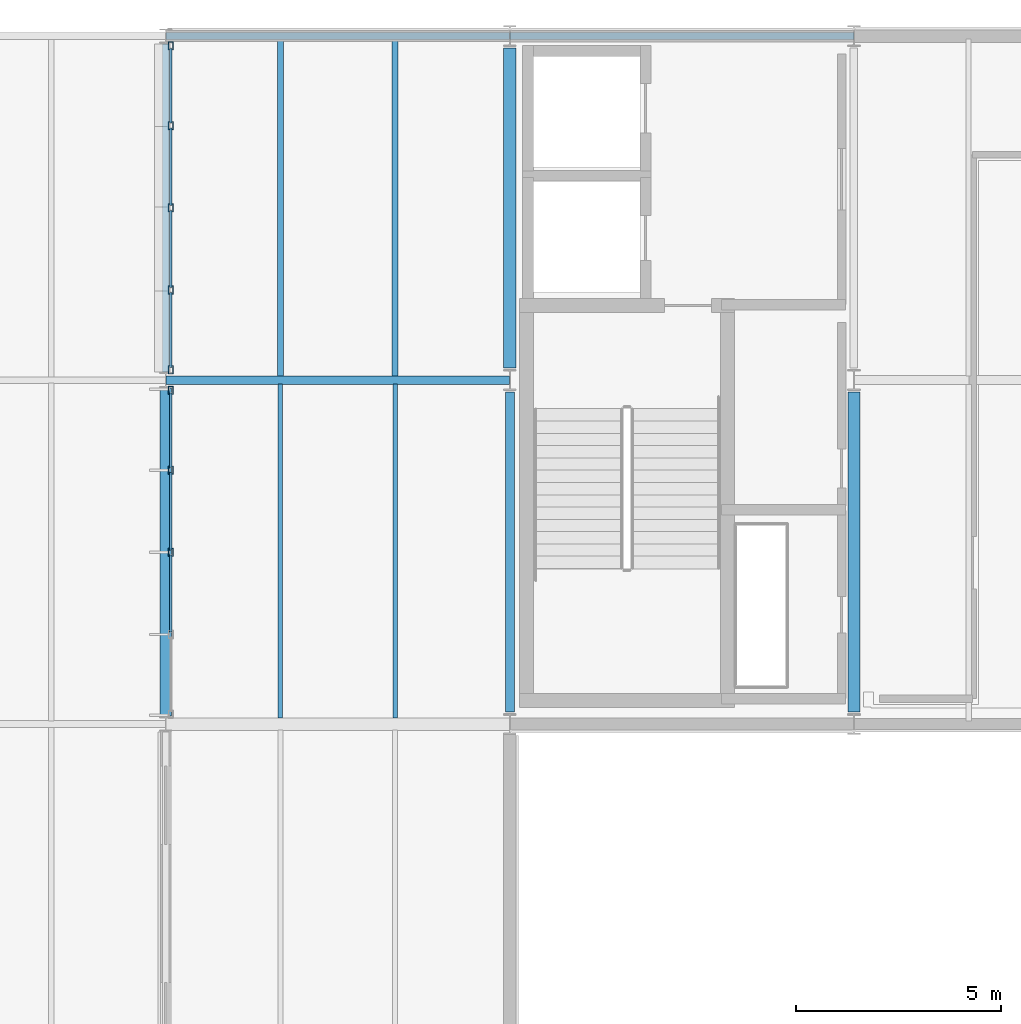
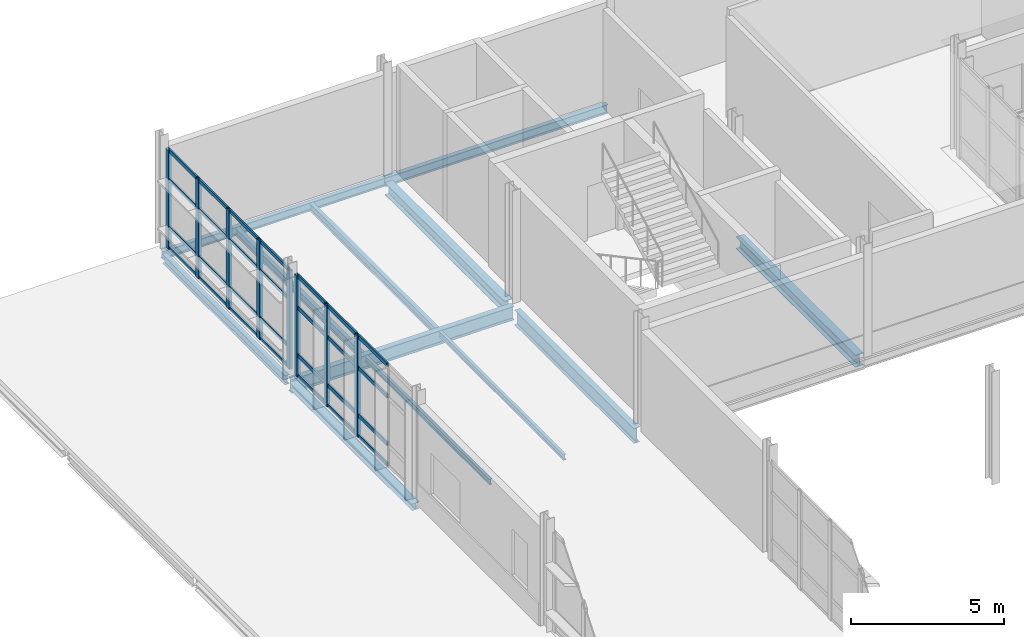
# One storey, part 42 of 129: 36 members, 12 beams, 2 elements without a shape of their own.
"""IFC4 building model written with IfcOpenShell, lengths in metres."""

from ifc_helpers import new_model, si_unit, direction, frame, origin, origin_2d, place, context, subcontext, project, spatial, hollow_rectangle, i_section, extrude, material, material_profile, profile_set, type_object, element, aggregate, save


model = new_model("IFC4")

# Units and contexts
model_context = context("Model", 3, precision=1e-05, world=origin(), true_north=direction((0.0, 1.0)))
body_context = subcontext(model_context, "Body", "Model", "MODEL_VIEW")
ifc_project = project(units=[si_unit("LENGTHUNIT", "METRE"), si_unit("AREAUNIT", "SQUARE_METRE"), si_unit("VOLUMEUNIT", "CUBIC_METRE"), si_unit("PLANEANGLEUNIT", "RADIAN"), si_unit("MASSUNIT", "GRAM", prefix="KILO")], contexts=[model_context])

# Site, building, storey
site_placement = place(None, origin())
site = spatial("IfcSite", under=ifc_project, at=site_placement, CompositionType="ELEMENT")
building_placement = place(site_placement, origin())
building = spatial("IfcBuilding", under=site, at=building_placement, Name="Mersafa Astral City Hall", CompositionType="ELEMENT")
storey_placement = place(building_placement, frame((0.0, 0.0, 5.39990234375)))
storey = spatial("IfcBuildingStorey", under=building, at=storey_placement, Name="L01", CompositionType="ELEMENT", Elevation=5.39990234375)

# Curtain wall, members
ifc_material_1 = material(Name="Anodised bronze aluminium framing", Category="aluminium")
curtain_wall_type_1 = type_object("IfcCurtainWallType", Name="ENV-CW-2", PredefinedType="USERDEFINED", material=ifc_material_1)
curtain_wall_1_placement = place(storey_placement, origin())
curtain_wall_1 = element("IfcCurtainWall", 1, at=curtain_wall_1_placement, inside=storey, type_object=curtain_wall_type_1, Name="L01 Unitised solar curtain wall 79", ObjectType="UNITISED CURTAIN WALL", PredefinedType="USERDEFINED")
ifc_material_profile_1 = material_profile(ifc_material_1, hollow_rectangle(XDim=0.1201171875, YDim=0.199951171875, WallThickness=0.008056640625, at=origin_2d()), Name="RHS 120x200x8")
ifc_profile_set_1 = profile_set([ifc_material_profile_1], Name="Anodised bronze aluminium framing")
member_type_1 = type_object("IfcMemberType", Name="ENV-CW-MUL-2", PredefinedType="MULLION", material=ifc_profile_set_1)
member_1_placement = place(storey_placement, frame((33.719970703125, 125.758056640625, -0.001953125), z_axis=(0.0, 0.0, 1.0), x_axis=(1.0, 0.0, 0.0)))
member_1 = element("IfcMember", 2, at=member_1_placement, type_object=member_type_1, Name="CW-2 mullion 1", PredefinedType="MULLION", context=body_context, shape_type="SweptSolid", body=[
    extrude(hollow_rectangle(XDim=0.1201171875, YDim=0.199951171875, WallThickness=0.008056640625, at=origin_2d()), origin(), (0.0, 0.0, 1.0), 3.93896484375),
])
member_2_placement = place(storey_placement, frame((33.719970703125, 123.8115234375, -0.001953125), z_axis=(0.0, 0.0, 1.0), x_axis=(1.0, 0.0, 0.0)))
member_2 = element("IfcMember", 3, at=member_2_placement, type_object=member_type_1, Name="CW-2 mullion 2", PredefinedType="MULLION", context=body_context, shape_type="SweptSolid", body=[
    extrude(hollow_rectangle(XDim=0.1201171875, YDim=0.199951171875, WallThickness=0.008056640625, at=origin_2d()), origin(), (0.0, 0.0, 1.0), 3.93896484375),
])
member_3_placement = place(storey_placement, frame((33.719970703125, 121.804931640625, -0.001953125), z_axis=(0.0, 0.0, 1.0), x_axis=(1.0, 0.0, 0.0)))
member_3 = element("IfcMember", 4, at=member_3_placement, type_object=member_type_1, Name="CW-2 mullion 3", PredefinedType="MULLION", context=body_context, shape_type="SweptSolid", body=[
    extrude(hollow_rectangle(XDim=0.1201171875, YDim=0.199951171875, WallThickness=0.008056640625, at=origin_2d()), origin(), (0.0, 0.0, 1.0), 3.93896484375),
])
member_4_placement = place(storey_placement, frame((33.719970703125, 119.798583984375, -0.001953125), z_axis=(0.0, 0.0, 1.0), x_axis=(1.0, 0.0, 0.0)))
member_4 = element("IfcMember", 5, at=member_4_placement, type_object=member_type_1, Name="CW-2 mullion 4", PredefinedType="MULLION", context=body_context, shape_type="SweptSolid", body=[
    extrude(hollow_rectangle(XDim=0.1201171875, YDim=0.199951171875, WallThickness=0.008056640625, at=origin_2d()), origin(), (0.0, 0.0, 1.0), 3.93896484375),
])
member_5_placement = place(storey_placement, frame((33.719970703125, 117.85205078125, -0.001953125), z_axis=(0.0, 0.0, 1.0), x_axis=(1.0, 0.0, 0.0)))
member_5 = element("IfcMember", 6, at=member_5_placement, type_object=member_type_1, Name="CW-2 mullion 5", PredefinedType="MULLION", context=body_context, shape_type="SweptSolid", body=[
    extrude(hollow_rectangle(XDim=0.1201171875, YDim=0.199951171875, WallThickness=0.008056640625, at=origin_2d()), origin(), (0.0, 0.0, 1.0), 3.93896484375),
])

curtain_wall_type_2 = type_object("IfcCurtainWallType", Name="ENV-CW-3", PredefinedType="USERDEFINED", material=ifc_material_1)
curtain_wall_2_placement = place(storey_placement, origin())
curtain_wall_2 = element("IfcCurtainWall", 7, at=curtain_wall_2_placement, inside=storey, type_object=curtain_wall_type_2, Name="L01 Unitised solar curtain wall 80", ObjectType="UNITISED CURTAIN WALL", PredefinedType="USERDEFINED")
member_6_placement = place(storey_placement, frame((33.719970703125, 117.347900390625, -0.001953125), z_axis=(0.0, 0.0, 1.0), x_axis=(1.0, 0.0, 0.0)))
member_6 = element("IfcMember", 8, at=member_6_placement, type_object=member_type_1, Name="CW-3 mullion 1", PredefinedType="MULLION", context=body_context, shape_type="SweptSolid", body=[
    extrude(hollow_rectangle(XDim=0.1201171875, YDim=0.199951171875, WallThickness=0.008056640625, at=origin_2d()), origin(), (0.0, 0.0, 1.0), 4.029052734375),
])
member_7_placement = place(storey_placement, frame((33.719970703125, 115.401611328125, -0.001953125), z_axis=(0.0, 0.0, 1.0), x_axis=(1.0, 0.0, 0.0)))
member_7 = element("IfcMember", 9, at=member_7_placement, type_object=member_type_1, Name="CW-3 mullion 2", PredefinedType="MULLION", context=body_context, shape_type="SweptSolid", body=[
    extrude(hollow_rectangle(XDim=0.1201171875, YDim=0.199951171875, WallThickness=0.008056640625, at=origin_2d()), origin(), (0.0, 0.0, 1.0), 4.029052734375),
])
member_8_placement = place(storey_placement, frame((33.719970703125, 113.39501953125, -0.001953125), z_axis=(0.0, 0.0, 1.0), x_axis=(1.0, 0.0, 0.0)))
member_8 = element("IfcMember", 10, at=member_8_placement, type_object=member_type_1, Name="CW-3 mullion 3", PredefinedType="MULLION", context=body_context, shape_type="SweptSolid", body=[
    extrude(hollow_rectangle(XDim=0.1201171875, YDim=0.199951171875, WallThickness=0.008056640625, at=origin_2d()), origin(), (0.0, 0.0, 1.0), 4.029052734375),
])

# Member
ifc_material_profile_2 = material_profile(ifc_material_1, hollow_rectangle(XDim=0.06005859375, YDim=0.139892578125, WallThickness=0.00390625, at=origin_2d()), Name="RHS 60x140x4")
ifc_profile_set_2 = profile_set([ifc_material_profile_2], Name="Anodised bronze aluminium framing")
member_type_2 = type_object("IfcMemberType", Name="ENV-CW-TRN-1", PredefinedType="USERDEFINED", material=ifc_profile_set_2)
member_9_placement = place(storey_placement, frame((33.719970703125, 125.697998046875, 0.028076171875), z_axis=(0.0, -1.0, 0.0), x_axis=(1.0, 0.0, 0.0)))
member_9 = element("IfcMember", 11, at=member_9_placement, type_object=member_type_2, Name="CW-2 transom 1.1", ObjectType="TRANSOM", PredefinedType="USERDEFINED", context=body_context, shape_type="SweptSolid", body=[
    extrude(hollow_rectangle(XDim=0.06005859375, YDim=0.139892578125, WallThickness=0.00390625, at=origin_2d()), origin(), (0.0, 0.0, 1.0), 1.826416015625),
])

member_10_placement = place(storey_placement, frame((33.719970703125, 125.697998046875, 0.85009765625), z_axis=(0.0, -1.0, 0.0), x_axis=(1.0, 0.0, 0.0)))
member_10 = element("IfcMember", 12, at=member_10_placement, type_object=member_type_2, Name="CW-2 transom 1.2", ObjectType="TRANSOM", PredefinedType="USERDEFINED", context=body_context, shape_type="SweptSolid", body=[
    extrude(hollow_rectangle(XDim=0.06005859375, YDim=0.139892578125, WallThickness=0.00390625, at=origin_2d()), origin(), (0.0, 0.0, 1.0), 1.826416015625),
])

member_11_placement = place(storey_placement, frame((33.719970703125, 125.697998046875, 2.75), z_axis=(0.0, -1.0, 0.0), x_axis=(1.0, 0.0, 0.0)))
member_11 = element("IfcMember", 13, at=member_11_placement, type_object=member_type_2, Name="CW-2 transom 1.3", ObjectType="TRANSOM", PredefinedType="USERDEFINED", context=body_context, shape_type="SweptSolid", body=[
    extrude(hollow_rectangle(XDim=0.06005859375, YDim=0.139892578125, WallThickness=0.00390625, at=origin_2d()), origin(), (0.0, 0.0, 1.0), 1.826416015625),
])

member_12_placement = place(storey_placement, frame((33.719970703125, 125.697998046875, 3.906982421875), z_axis=(0.0, -1.0, 0.0), x_axis=(1.0, 0.0, 0.0)))
member_12 = element("IfcMember", 14, at=member_12_placement, type_object=member_type_2, Name="CW-2 transom 1.4", ObjectType="TRANSOM", PredefinedType="USERDEFINED", context=body_context, shape_type="SweptSolid", body=[
    extrude(hollow_rectangle(XDim=0.06005859375, YDim=0.139892578125, WallThickness=0.00390625, at=origin_2d()), origin(), (0.0, 0.0, 1.0), 1.826416015625),
])

member_13_placement = place(storey_placement, frame((33.719970703125, 123.75146484375, 0.028076171875), z_axis=(0.0, -1.0, 0.0), x_axis=(1.0, 0.0, 0.0)))
member_13 = element("IfcMember", 15, at=member_13_placement, type_object=member_type_2, Name="CW-2 transom 2.1", ObjectType="TRANSOM", PredefinedType="USERDEFINED", context=body_context, shape_type="SweptSolid", body=[
    extrude(hollow_rectangle(XDim=0.06005859375, YDim=0.139892578125, WallThickness=0.00390625, at=origin_2d()), origin(), (0.0, 0.0, 1.0), 1.886474609375),
])

member_14_placement = place(storey_placement, frame((33.719970703125, 123.75146484375, 0.85009765625), z_axis=(0.0, -1.0, 0.0), x_axis=(1.0, 0.0, 0.0)))
member_14 = element("IfcMember", 16, at=member_14_placement, type_object=member_type_2, Name="CW-2 transom 2.2", ObjectType="TRANSOM", PredefinedType="USERDEFINED", context=body_context, shape_type="SweptSolid", body=[
    extrude(hollow_rectangle(XDim=0.06005859375, YDim=0.139892578125, WallThickness=0.00390625, at=origin_2d()), origin(), (0.0, 0.0, 1.0), 1.886474609375),
])

member_15_placement = place(storey_placement, frame((33.719970703125, 123.75146484375, 2.75), z_axis=(0.0, -1.0, 0.0), x_axis=(1.0, 0.0, 0.0)))
member_15 = element("IfcMember", 17, at=member_15_placement, type_object=member_type_2, Name="CW-2 transom 2.3", ObjectType="TRANSOM", PredefinedType="USERDEFINED", context=body_context, shape_type="SweptSolid", body=[
    extrude(hollow_rectangle(XDim=0.06005859375, YDim=0.139892578125, WallThickness=0.00390625, at=origin_2d()), origin(), (0.0, 0.0, 1.0), 1.886474609375),
])

member_16_placement = place(storey_placement, frame((33.719970703125, 123.75146484375, 3.906982421875), z_axis=(0.0, -1.0, 0.0), x_axis=(1.0, 0.0, 0.0)))
member_16 = element("IfcMember", 18, at=member_16_placement, type_object=member_type_2, Name="CW-2 transom 2.4", ObjectType="TRANSOM", PredefinedType="USERDEFINED", context=body_context, shape_type="SweptSolid", body=[
    extrude(hollow_rectangle(XDim=0.06005859375, YDim=0.139892578125, WallThickness=0.00390625, at=origin_2d()), origin(), (0.0, 0.0, 1.0), 1.886474609375),
])

member_17_placement = place(storey_placement, frame((33.719970703125, 121.7451171875, 0.028076171875), z_axis=(0.0, -1.0, 0.0), x_axis=(1.0, 0.0, 0.0)))
member_17 = element("IfcMember", 19, at=member_17_placement, type_object=member_type_2, Name="CW-2 transom 3.1", ObjectType="TRANSOM", PredefinedType="USERDEFINED", context=body_context, shape_type="SweptSolid", body=[
    extrude(hollow_rectangle(XDim=0.06005859375, YDim=0.139892578125, WallThickness=0.00390625, at=origin_2d()), origin(), (0.0, 0.0, 1.0), 1.88671875),
])

member_18_placement = place(storey_placement, frame((33.719970703125, 121.7451171875, 0.85009765625), z_axis=(0.0, -1.0, 0.0), x_axis=(1.0, 0.0, 0.0)))
member_18 = element("IfcMember", 20, at=member_18_placement, type_object=member_type_2, Name="CW-2 transom 3.2", ObjectType="TRANSOM", PredefinedType="USERDEFINED", context=body_context, shape_type="SweptSolid", body=[
    extrude(hollow_rectangle(XDim=0.06005859375, YDim=0.139892578125, WallThickness=0.00390625, at=origin_2d()), origin(), (0.0, 0.0, 1.0), 1.88671875),
])

member_19_placement = place(storey_placement, frame((33.719970703125, 121.7451171875, 2.75), z_axis=(0.0, -1.0, 0.0), x_axis=(1.0, 0.0, 0.0)))
member_19 = element("IfcMember", 21, at=member_19_placement, type_object=member_type_2, Name="CW-2 transom 3.3", ObjectType="TRANSOM", PredefinedType="USERDEFINED", context=body_context, shape_type="SweptSolid", body=[
    extrude(hollow_rectangle(XDim=0.06005859375, YDim=0.139892578125, WallThickness=0.00390625, at=origin_2d()), origin(), (0.0, 0.0, 1.0), 1.88671875),
])

member_20_placement = place(storey_placement, frame((33.719970703125, 121.7451171875, 3.906982421875), z_axis=(0.0, -1.0, 0.0), x_axis=(1.0, 0.0, 0.0)))
member_20 = element("IfcMember", 22, at=member_20_placement, type_object=member_type_2, Name="CW-2 transom 3.4", ObjectType="TRANSOM", PredefinedType="USERDEFINED", context=body_context, shape_type="SweptSolid", body=[
    extrude(hollow_rectangle(XDim=0.06005859375, YDim=0.139892578125, WallThickness=0.00390625, at=origin_2d()), origin(), (0.0, 0.0, 1.0), 1.88671875),
])

member_21_placement = place(storey_placement, frame((33.719970703125, 119.738525390625, 0.028076171875), z_axis=(0.0, -1.0, 0.0), x_axis=(1.0, 0.0, 0.0)))
member_21 = element("IfcMember", 23, at=member_21_placement, type_object=member_type_2, Name="CW-2 transom 4.1", ObjectType="TRANSOM", PredefinedType="USERDEFINED", context=body_context, shape_type="SweptSolid", body=[
    extrude(hollow_rectangle(XDim=0.06005859375, YDim=0.139892578125, WallThickness=0.00390625, at=origin_2d()), origin(), (0.0, 0.0, 1.0), 1.826416015625),
])

member_22_placement = place(storey_placement, frame((33.719970703125, 119.738525390625, 0.85009765625), z_axis=(0.0, -1.0, 0.0), x_axis=(1.0, 0.0, 0.0)))
member_22 = element("IfcMember", 24, at=member_22_placement, type_object=member_type_2, Name="CW-2 transom 4.2", ObjectType="TRANSOM", PredefinedType="USERDEFINED", context=body_context, shape_type="SweptSolid", body=[
    extrude(hollow_rectangle(XDim=0.06005859375, YDim=0.139892578125, WallThickness=0.00390625, at=origin_2d()), origin(), (0.0, 0.0, 1.0), 1.826416015625),
])

member_23_placement = place(storey_placement, frame((33.719970703125, 119.738525390625, 2.75), z_axis=(0.0, -1.0, 0.0), x_axis=(1.0, 0.0, 0.0)))
member_23 = element("IfcMember", 25, at=member_23_placement, type_object=member_type_2, Name="CW-2 transom 4.3", ObjectType="TRANSOM", PredefinedType="USERDEFINED", context=body_context, shape_type="SweptSolid", body=[
    extrude(hollow_rectangle(XDim=0.06005859375, YDim=0.139892578125, WallThickness=0.00390625, at=origin_2d()), origin(), (0.0, 0.0, 1.0), 1.826416015625),
])

member_24_placement = place(storey_placement, frame((33.719970703125, 119.738525390625, 3.906982421875), z_axis=(0.0, -1.0, 0.0), x_axis=(1.0, 0.0, 0.0)))
member_24 = element("IfcMember", 26, at=member_24_placement, type_object=member_type_2, Name="CW-2 transom 4.4", ObjectType="TRANSOM", PredefinedType="USERDEFINED", context=body_context, shape_type="SweptSolid", body=[
    extrude(hollow_rectangle(XDim=0.06005859375, YDim=0.139892578125, WallThickness=0.00390625, at=origin_2d()), origin(), (0.0, 0.0, 1.0), 1.826416015625),
])

aggregate(curtain_wall_1, [member_1, member_2, member_3, member_4, member_5, member_9, member_10, member_11, member_12, member_13, member_14, member_15, member_16, member_17, member_18, member_19, member_20, member_21, member_22, member_23, member_24])

ifc_material_profile_3 = material_profile(ifc_material_1, hollow_rectangle(XDim=0.06005859375, YDim=0.159912109375, WallThickness=0.00390625, at=origin_2d()), Name="RHS 60x160x4")
ifc_profile_set_3 = profile_set([ifc_material_profile_3], Name="Anodised bronze aluminium framing")
member_type_3 = type_object("IfcMemberType", Name="ENV-CW-TRN-2", PredefinedType="USERDEFINED", material=ifc_profile_set_3)
member_25_placement = place(storey_placement, frame((33.719970703125, 117.2880859375, 0.028076171875), z_axis=(0.0, -1.0, 0.0), x_axis=(1.0, 0.0, 0.0)))
member_25 = element("IfcMember", 27, at=member_25_placement, type_object=member_type_3, Name="CW-3 transom 1.1", ObjectType="TRANSOM", PredefinedType="USERDEFINED", context=body_context, shape_type="SweptSolid", body=[
    extrude(hollow_rectangle(XDim=0.06005859375, YDim=0.159912109375, WallThickness=0.00390625, at=origin_2d()), origin(), (0.0, 0.0, 1.0), 1.82666015625),
])

member_26_placement = place(storey_placement, frame((33.719970703125, 117.2880859375, 0.85009765625), z_axis=(0.0, -1.0, 0.0), x_axis=(1.0, 0.0, 0.0)))
member_26 = element("IfcMember", 28, at=member_26_placement, type_object=member_type_3, Name="CW-3 transom 1.2", ObjectType="TRANSOM", PredefinedType="USERDEFINED", context=body_context, shape_type="SweptSolid", body=[
    extrude(hollow_rectangle(XDim=0.06005859375, YDim=0.159912109375, WallThickness=0.00390625, at=origin_2d()), origin(), (0.0, 0.0, 1.0), 1.82666015625),
])

member_27_placement = place(storey_placement, frame((33.719970703125, 117.2880859375, 2.75), z_axis=(0.0, -1.0, 0.0), x_axis=(1.0, 0.0, 0.0)))
member_27 = element("IfcMember", 29, at=member_27_placement, type_object=member_type_3, Name="CW-3 transom 1.3", ObjectType="TRANSOM", PredefinedType="USERDEFINED", context=body_context, shape_type="SweptSolid", body=[
    extrude(hollow_rectangle(XDim=0.06005859375, YDim=0.159912109375, WallThickness=0.00390625, at=origin_2d()), origin(), (0.0, 0.0, 1.0), 1.82666015625),
])

member_28_placement = place(storey_placement, frame((33.719970703125, 117.2880859375, 3.9970703125), z_axis=(0.0, -1.0, 0.0), x_axis=(1.0, 0.0, 0.0)))
member_28 = element("IfcMember", 30, at=member_28_placement, type_object=member_type_3, Name="CW-3 transom 1.4", ObjectType="TRANSOM", PredefinedType="USERDEFINED", context=body_context, shape_type="SweptSolid", body=[
    extrude(hollow_rectangle(XDim=0.06005859375, YDim=0.159912109375, WallThickness=0.00390625, at=origin_2d()), origin(), (0.0, 0.0, 1.0), 1.82666015625),
])

member_29_placement = place(storey_placement, frame((33.719970703125, 115.341552734375, 0.028076171875), z_axis=(0.0, -1.0, 0.0), x_axis=(1.0, 0.0, 0.0)))
member_29 = element("IfcMember", 31, at=member_29_placement, type_object=member_type_3, Name="CW-3 transom 2.1", ObjectType="TRANSOM", PredefinedType="USERDEFINED", context=body_context, shape_type="SweptSolid", body=[
    extrude(hollow_rectangle(XDim=0.06005859375, YDim=0.159912109375, WallThickness=0.00390625, at=origin_2d()), origin(), (0.0, 0.0, 1.0), 1.886474609375),
])

member_30_placement = place(storey_placement, frame((33.719970703125, 115.341552734375, 0.85009765625), z_axis=(0.0, -1.0, 0.0), x_axis=(1.0, 0.0, 0.0)))
member_30 = element("IfcMember", 32, at=member_30_placement, type_object=member_type_3, Name="CW-3 transom 2.2", ObjectType="TRANSOM", PredefinedType="USERDEFINED", context=body_context, shape_type="SweptSolid", body=[
    extrude(hollow_rectangle(XDim=0.06005859375, YDim=0.159912109375, WallThickness=0.00390625, at=origin_2d()), origin(), (0.0, 0.0, 1.0), 1.886474609375),
])

member_31_placement = place(storey_placement, frame((33.719970703125, 115.341552734375, 2.75), z_axis=(0.0, -1.0, 0.0), x_axis=(1.0, 0.0, 0.0)))
member_31 = element("IfcMember", 33, at=member_31_placement, type_object=member_type_3, Name="CW-3 transom 2.3", ObjectType="TRANSOM", PredefinedType="USERDEFINED", context=body_context, shape_type="SweptSolid", body=[
    extrude(hollow_rectangle(XDim=0.06005859375, YDim=0.159912109375, WallThickness=0.00390625, at=origin_2d()), origin(), (0.0, 0.0, 1.0), 1.886474609375),
])

member_32_placement = place(storey_placement, frame((33.719970703125, 115.341552734375, 3.9970703125), z_axis=(0.0, -1.0, 0.0), x_axis=(1.0, 0.0, 0.0)))
member_32 = element("IfcMember", 34, at=member_32_placement, type_object=member_type_3, Name="CW-3 transom 2.4", ObjectType="TRANSOM", PredefinedType="USERDEFINED", context=body_context, shape_type="SweptSolid", body=[
    extrude(hollow_rectangle(XDim=0.06005859375, YDim=0.159912109375, WallThickness=0.00390625, at=origin_2d()), origin(), (0.0, 0.0, 1.0), 1.886474609375),
])

member_33_placement = place(storey_placement, frame((33.719970703125, 113.3349609375, 0.028076171875), z_axis=(0.0, -1.0, 0.0), x_axis=(1.0, 0.0, 0.0)))
member_33 = element("IfcMember", 35, at=member_33_placement, type_object=member_type_3, Name="CW-3 transom 3.1", ObjectType="TRANSOM", PredefinedType="USERDEFINED", context=body_context, shape_type="SweptSolid", body=[
    extrude(hollow_rectangle(XDim=0.06005859375, YDim=0.159912109375, WallThickness=0.00390625, at=origin_2d()), origin(), (0.0, 0.0, 1.0), 1.886474609375),
])

member_34_placement = place(storey_placement, frame((33.719970703125, 113.3349609375, 0.85009765625), z_axis=(0.0, -1.0, 0.0), x_axis=(1.0, 0.0, 0.0)))
member_34 = element("IfcMember", 36, at=member_34_placement, type_object=member_type_3, Name="CW-3 transom 3.2", ObjectType="TRANSOM", PredefinedType="USERDEFINED", context=body_context, shape_type="SweptSolid", body=[
    extrude(hollow_rectangle(XDim=0.06005859375, YDim=0.159912109375, WallThickness=0.00390625, at=origin_2d()), origin(), (0.0, 0.0, 1.0), 1.886474609375),
])

member_35_placement = place(storey_placement, frame((33.719970703125, 113.3349609375, 2.75), z_axis=(0.0, -1.0, 0.0), x_axis=(1.0, 0.0, 0.0)))
member_35 = element("IfcMember", 37, at=member_35_placement, type_object=member_type_3, Name="CW-3 transom 3.3", ObjectType="TRANSOM", PredefinedType="USERDEFINED", context=body_context, shape_type="SweptSolid", body=[
    extrude(hollow_rectangle(XDim=0.06005859375, YDim=0.159912109375, WallThickness=0.00390625, at=origin_2d()), origin(), (0.0, 0.0, 1.0), 1.886474609375),
])

member_36_placement = place(storey_placement, frame((33.719970703125, 113.3349609375, 3.9970703125), z_axis=(0.0, -1.0, 0.0), x_axis=(1.0, 0.0, 0.0)))
member_36 = element("IfcMember", 38, at=member_36_placement, type_object=member_type_3, Name="CW-3 transom 3.4", ObjectType="TRANSOM", PredefinedType="USERDEFINED", context=body_context, shape_type="SweptSolid", body=[
    extrude(hollow_rectangle(XDim=0.06005859375, YDim=0.159912109375, WallThickness=0.00390625, at=origin_2d()), origin(), (0.0, 0.0, 1.0), 1.886474609375),
])

aggregate(curtain_wall_2, [member_6, member_7, member_8, member_25, member_26, member_27, member_28, member_29, member_30, member_31, member_32, member_33, member_34, member_35, member_36])

# Beams
ifc_material_2 = material(Name="Steel S355", Category="steel")
ifc_material_profile_4 = material_profile(ifc_material_2, i_section(OverallWidth=0.300048828125, OverallDepth=0.489990234375, WebThickness=0.011962890625, FlangeThickness=0.02294921875, FilletRadius=0.027099609375, at=origin_2d()), Name="HEA 500")
ifc_profile_set_4 = profile_set([ifc_material_profile_4], Name="Steel S355")
beam_type_1 = type_object("IfcBeamType", Name="STR-BM-HEA500", PredefinedType="BEAM", material=ifc_profile_set_4)
beam_1_placement = place(storey_placement, frame((42.0, 117.89501953125, -0.469970703125), z_axis=(0.0, 1.0, 0.0), x_axis=(-1.0, 0.0, 0.0)))
element("IfcBeam", 39, at=beam_1_placement, inside=storey, type_object=beam_type_1, Name="L01 Primary girder Y 5-14", PredefinedType="BEAM", context=body_context, shape_type="SweptSolid", body=[
    extrude(i_section(OverallWidth=0.300048828125, OverallDepth=0.489990234375, WebThickness=0.011962890625, FlangeThickness=0.02294921875, FilletRadius=0.027099609375, at=origin_2d()), origin(), (0.0, 0.0, 1.0), 7.81005859375),
])
beam_2_placement = place(storey_placement, frame((50.39990234375, 109.4951171875, -0.469970703125), z_axis=(0.0, 1.0, 0.0), x_axis=(-1.0, 0.0, 0.0)))
element("IfcBeam", 40, at=beam_2_placement, inside=storey, type_object=beam_type_1, Name="L01 Primary girder Y 6-13", PredefinedType="BEAM", context=body_context, shape_type="SweptSolid", body=[
    extrude(i_section(OverallWidth=0.300048828125, OverallDepth=0.489990234375, WebThickness=0.011962890625, FlangeThickness=0.02294921875, FilletRadius=0.027099609375, at=origin_2d()), origin(), (0.0, 0.0, 1.0), 7.809814453125),
])
ifc_material_profile_5 = material_profile(ifc_material_2, i_section(OverallWidth=0.2099609375, OverallDepth=0.550048828125, WebThickness=0.010986328125, FlangeThickness=0.01708984375, FilletRadius=0.02392578125, at=origin_2d()), Name="IPE 550")
ifc_profile_set_5 = profile_set([ifc_material_profile_5], Name="Steel S355")
beam_type_2 = type_object("IfcBeamType", Name="STR-BM-IPE550", PredefinedType="BEAM", material=ifc_profile_set_5)
beam_3_placement = place(storey_placement, frame((33.60302734375, 117.60009765625, -0.5), z_axis=(1.0, 0.0, 0.0), x_axis=(0.0, 1.0, 0.0)))
element("IfcBeam", 41, at=beam_3_placement, inside=storey, type_object=beam_type_2, Name="L01 Primary girder X 4-14", PredefinedType="BEAM", context=body_context, shape_type="SweptSolid", body=[
    extrude(i_section(OverallWidth=0.2099609375, OverallDepth=0.550048828125, WebThickness=0.010986328125, FlangeThickness=0.01708984375, FilletRadius=0.02392578125, at=origin_2d()), origin(), (0.0, 0.0, 1.0), 8.39404296875),
])
ifc_material_profile_6 = material_profile(ifc_material_2, i_section(OverallWidth=0.219970703125, OverallDepth=0.60009765625, WebThickness=0.011962890625, FlangeThickness=0.01904296875, FilletRadius=0.02392578125, at=origin_2d()), Name="IPE 600")
ifc_profile_set_6 = profile_set([ifc_material_profile_6], Name="Steel S355")
beam_type_3 = type_object("IfcBeamType", Name="STR-BM-IPE600", PredefinedType="BEAM", material=ifc_profile_set_6)
beam_4_placement = place(storey_placement, frame((42.0, 109.4951171875, -0.52490234375), z_axis=(0.0, 1.0, 0.0), x_axis=(-1.0, 0.0, 0.0)))
element("IfcBeam", 42, at=beam_4_placement, inside=storey, type_object=beam_type_3, Name="L01 Primary girder Y 5-13", PredefinedType="BEAM", context=body_context, shape_type="SweptSolid", body=[
    extrude(i_section(OverallWidth=0.219970703125, OverallDepth=0.60009765625, WebThickness=0.011962890625, FlangeThickness=0.01904296875, FilletRadius=0.02392578125, at=origin_2d()), origin(), (0.0, 0.0, 1.0), 7.809814453125),
])
ifc_material_profile_7 = material_profile(ifc_material_2, i_section(OverallWidth=0.110107421875, OverallDepth=0.219970703125, WebThickness=0.005859375, FlangeThickness=0.00927734375, FilletRadius=0.011962890625, at=origin_2d()), Name="IPE 220")
ifc_profile_set_7 = profile_set([ifc_material_profile_7], Name="Steel S355")
beam_type_4 = type_object("IfcBeamType", Name="STR-BM-JOIST-IPE220", PredefinedType="JOIST", material=ifc_profile_set_7)
for number, where, z_axis, x_axis, name in (
    (43, (36.39990234375, 109.344970703125, -0.3349609375), (0.0, 1.0, 0.0), (-1.0, 0.0, 0.0), "L01 Composite secondary floor joist 238"),
    (44, (39.199951171875, 109.344970703125, -0.3349609375), (0.0, 1.0, 0.0), (-1.0, 0.0, 0.0), "L01 Composite secondary floor joist 239"),
):
    element("IfcBeam", number, at=place(storey_placement, frame(where, z_axis=z_axis, x_axis=x_axis)), inside=storey, type_object=beam_type_4, Name=name, PredefinedType="JOIST", context=body_context, shape_type="SweptSolid", body=[
        extrude(i_section(OverallWidth=0.110107421875, OverallDepth=0.219970703125, WebThickness=0.005859375, FlangeThickness=0.00927734375, FilletRadius=0.011962890625, at=origin_2d()), origin(), (0.0, 0.0, 1.0), 8.155029296875),
    ])
ifc_material_profile_8 = material_profile(ifc_material_2, i_section(OverallWidth=0.14990234375, OverallDepth=0.300048828125, WebThickness=0.007080078125, FlangeThickness=0.0107421875, FilletRadius=0.014892578125, at=origin_2d()), Name="IPE 300")
ifc_profile_set_8 = profile_set([ifc_material_profile_8], Name="Steel S355")
beam_type_5 = type_object("IfcBeamType", Name="STR-BM-JOIST-IPE300", PredefinedType="JOIST", material=ifc_profile_set_8)
for number, where, z_axis, x_axis, name in (
    (45, (36.39990234375, 117.699951171875, -0.375), (0.0, 1.0, 0.0), (-1.0, 0.0, 0.0), "L01 Composite secondary floor joist 240"),
    (46, (39.199951171875, 117.699951171875, -0.375), (0.0, 1.0, 0.0), (-1.0, 0.0, 0.0), "L01 Composite secondary floor joist 241"),
):
    element("IfcBeam", number, at=place(storey_placement, frame(where, z_axis=z_axis, x_axis=x_axis)), inside=storey, type_object=beam_type_5, Name=name, PredefinedType="JOIST", context=body_context, shape_type="SweptSolid", body=[
        extrude(i_section(OverallWidth=0.14990234375, OverallDepth=0.300048828125, WebThickness=0.007080078125, FlangeThickness=0.0107421875, FilletRadius=0.014892578125, at=origin_2d()), origin(), (0.0, 0.0, 1.0), 8.22509765625),
    ])
ifc_material_profile_9 = material_profile(ifc_material_2, i_section(OverallWidth=0.280029296875, OverallDepth=0.27001953125, WebThickness=0.008056640625, FlangeThickness=0.012939453125, FilletRadius=0.02392578125, at=origin_2d()), Name="HEA 280")
ifc_profile_set_9 = profile_set([ifc_material_profile_9], Name="Steel S355")
beam_type_6 = type_object("IfcBeamType", Name="STR-BM-SPANDREL-HEA280", PredefinedType="SPANDREL", material=ifc_profile_set_9)
beam_5_placement = place(storey_placement, frame((33.60009765625, 109.39501953125, -0.35986328125), z_axis=(0.0, 1.0, 0.0), x_axis=(-1.0, 0.0, 0.0)))
element("IfcBeam", 47, at=beam_5_placement, inside=storey, type_object=beam_type_6, Name="L01 Primary girder Y 4-13", PredefinedType="SPANDREL", context=body_context, shape_type="SweptSolid", body=[
    extrude(i_section(OverallWidth=0.280029296875, OverallDepth=0.27001953125, WebThickness=0.008056640625, FlangeThickness=0.012939453125, FilletRadius=0.02392578125, at=origin_2d()), origin(), (0.0, 0.0, 1.0), 8.010009765625),
])
ifc_material_profile_10 = material_profile(ifc_material_2, i_section(OverallWidth=0.159912109375, OverallDepth=0.330078125, WebThickness=0.007568359375, FlangeThickness=0.011474609375, FilletRadius=0.01806640625, at=origin_2d()), Name="IPE 330")
ifc_profile_set_10 = profile_set([ifc_material_profile_10], Name="Steel S355")
beam_type_7 = type_object("IfcBeamType", Name="STR-BM-SPANDREL-IPE330", PredefinedType="SPANDREL", material=ifc_profile_set_10)
beam_6_placement = place(storey_placement, frame((33.60302734375, 126.0, -0.389892578125), z_axis=(1.0, 0.0, 0.0), x_axis=(0.0, 1.0, 0.0)))
element("IfcBeam", 48, at=beam_6_placement, inside=storey, type_object=beam_type_7, Name="L01 Primary girder X 4-15", PredefinedType="SPANDREL", context=body_context, shape_type="SweptSolid", body=[
    extrude(i_section(OverallWidth=0.159912109375, OverallDepth=0.330078125, WebThickness=0.007568359375, FlangeThickness=0.011474609375, FilletRadius=0.01806640625, at=origin_2d()), origin(), (0.0, 0.0, 1.0), 8.39404296875),
])
ifc_material_profile_11 = material_profile(ifc_material_2, i_section(OverallWidth=0.169921875, OverallDepth=0.360107421875, WebThickness=0.008056640625, FlangeThickness=0.0126953125, FilletRadius=0.01806640625, at=origin_2d()), Name="IPE 360")
ifc_profile_set_11 = profile_set([ifc_material_profile_11], Name="Steel S355")
beam_type_8 = type_object("IfcBeamType", Name="STR-BM-SPANDREL-IPE360", PredefinedType="SPANDREL", material=ifc_profile_set_11)
beam_7_placement = place(storey_placement, frame((42.0029296875, 126.0, -0.40478515625), z_axis=(1.0, 0.0, 0.0), x_axis=(0.0, 1.0, 0.0)))
element("IfcBeam", 49, at=beam_7_placement, inside=storey, type_object=beam_type_8, Name="L01 Primary girder X 5-15", PredefinedType="SPANDREL", context=body_context, shape_type="SweptSolid", body=[
    extrude(i_section(OverallWidth=0.169921875, OverallDepth=0.360107421875, WebThickness=0.008056640625, FlangeThickness=0.0126953125, FilletRadius=0.01806640625, at=origin_2d()), origin(), (0.0, 0.0, 1.0), 8.39404296875),
])
beam_8_placement = place(storey_placement, frame((33.60009765625, 117.794921875, -0.40478515625), z_axis=(0.0, 1.0, 0.0), x_axis=(-1.0, 0.0, 0.0)))
element("IfcBeam", 50, at=beam_8_placement, inside=storey, type_object=beam_type_8, Name="L01 Primary girder Y 4-14", PredefinedType="SPANDREL", context=body_context, shape_type="SweptSolid", body=[
    extrude(i_section(OverallWidth=0.169921875, OverallDepth=0.360107421875, WebThickness=0.008056640625, FlangeThickness=0.0126953125, FilletRadius=0.01806640625, at=origin_2d()), origin(), (0.0, 0.0, 1.0), 8.010009765625),
])

save(model, "model.ifc")
